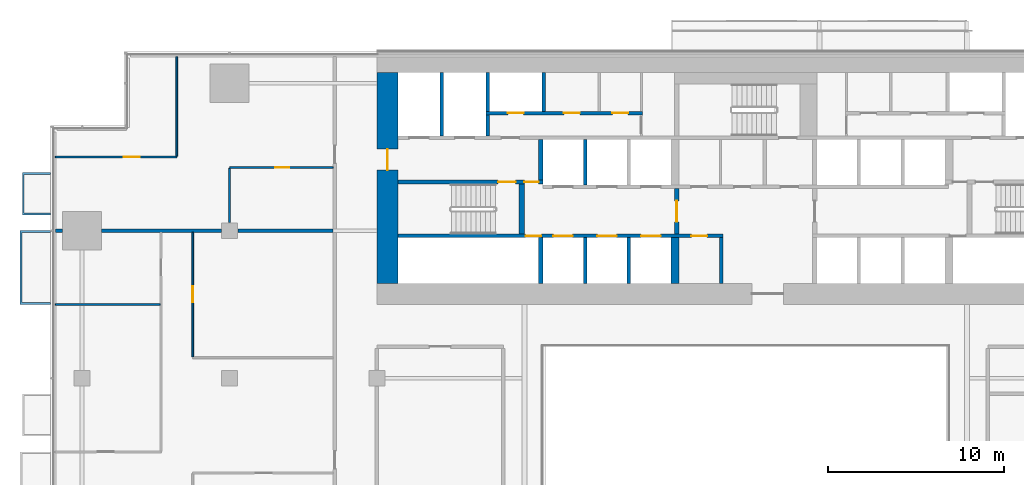
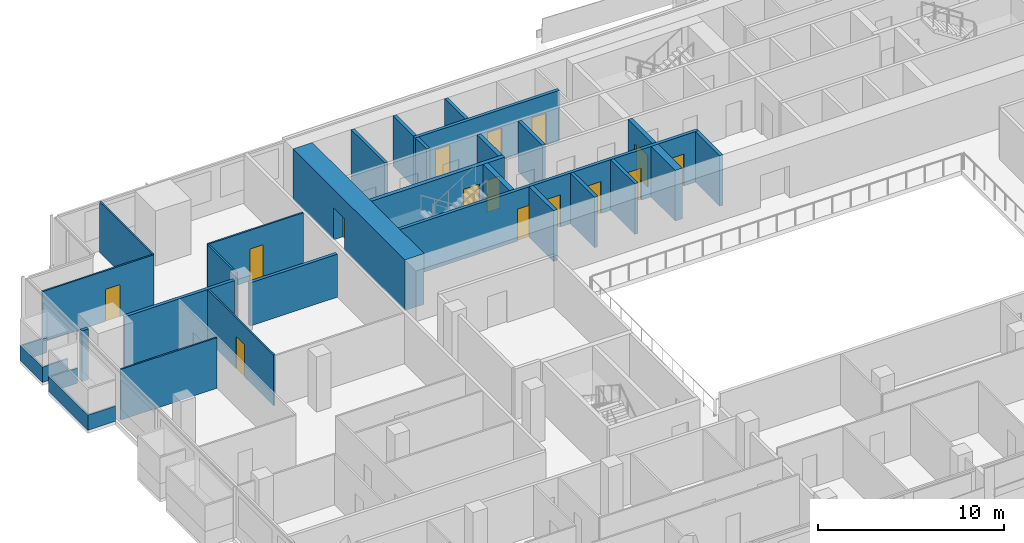
# One storey, part 21 of 27: 28 walls, 15 doors, 15 openings.
"""IFC4 building model written with IfcOpenShell, lengths in metres."""

from ifc_helpers import new_model, si_unit, direction, frame, frame_2d, origin, place, context, subcontext, project, spatial, polyline, rectangle, outline, extrude, material, layer, layer_set, type_object, element, fill, save


model = new_model("IFC4")

# Units and contexts
model_context = context("Model", 3, precision=1e-05, world=origin(), true_north=direction((0.0, 1.0)))
body_context = subcontext(model_context, "Body", "Model", "MODEL_VIEW")
ifc_project = project(units=[si_unit("LENGTHUNIT", "METRE"), si_unit("AREAUNIT", "SQUARE_METRE"), si_unit("VOLUMEUNIT", "CUBIC_METRE"), si_unit("PLANEANGLEUNIT", "RADIAN"), si_unit("MASSUNIT", "GRAM", prefix="KILO")], contexts=[model_context])

# Site, building, storey
site_placement = place(None, origin())
site = spatial("IfcSite", under=ifc_project, at=site_placement, CompositionType="ELEMENT")
building_placement = place(site_placement, origin())
building = spatial("IfcBuilding", under=site, at=building_placement, Name="Saffron Gate Tower", CompositionType="ELEMENT")
storey_placement = place(building_placement, frame((0.0, 0.0, 40.800048828125)))
storey = spatial("IfcBuildingStorey", under=building, at=storey_placement, Name="L08", CompositionType="ELEMENT", Elevation=40.800048828125)

# Wall, opening, door
ifc_material_1 = material(Name="Concrete C70", Category="concrete")
ifc_layer_1 = layer(ifc_material_1, 1.199951171875)
ifc_layer_set_1 = layer_set([ifc_layer_1], Name="CW1 RC core wall 1200 C70")
wall_type_1 = type_object("IfcWallType", Name="CW1 RC core wall 1200 C70", PredefinedType="SOLIDWALL", material=ifc_layer_set_1)
wall_1_placement = place(storey_placement, frame((67.199951171875, 62.39990234375, 0.0), z_axis=(0.0, 0.0, 1.0), x_axis=(0.0, 1.0, 0.0)))
wall_1 = element("IfcWall", 1, at=wall_1_placement, inside=storey, type_object=wall_type_1, Name="Wall CW1-L08-3", PredefinedType="SOLIDWALL", context=body_context, shape_type="SweptSolid", body=[
    extrude(rectangle(XDim=12.0, YDim=1.199951171875, at=frame_2d((6.0, 0.0))), origin(), (0.0, 0.0, 1.0), 3.320068359375),
])
opening_1_placement = place(wall_1_placement, frame((6.449951171875, 0.0, 0.0)))
opening_1 = element("IfcOpeningElement", 2, at=opening_1_placement, cuts=wall_1, Name="Opening CR-10", PredefinedType="OPENING", context=body_context, shape_type="SweptSolid", body=[
    extrude(rectangle(XDim=1.199951171875, YDim=2.10009765625, at=frame_2d((0.60009765625, 1.050048828125))), frame((0.0, 0.60986328125, 0.0), z_axis=(0.0, -1.0, 0.0), x_axis=(1.0, 0.0, 0.0)), (0.0, 0.0, 1.0), 1.219970703125),
])
ifc_material_2 = material(Name="Steel fire door set", Category="steel")
door_type_1 = type_object("IfcDoorType", Name="CD7 Core entrance door 1200x2100 EI 120", OperationType="NOTDEFINED", PredefinedType="DOOR", material=ifc_material_2)
door_1_placement = place(opening_1_placement, origin())
door_1 = element("IfcDoor", 3, at=door_1_placement, inside=storey, type_object=door_type_1, Name="DOOR CR-10", OperationType="SINGLE_SWING_LEFT", OverallHeight=2.10009765625, OverallWidth=1.199951171875, PredefinedType="DOOR", context=body_context, shape_type="SweptSolid", body=[
    extrude(rectangle(XDim=1.199951171875, YDim=2.10009765625, at=frame_2d((0.60009765625, 1.050048828125))), frame((0.0, 0.02490234375, 0.0), z_axis=(0.0, -1.0, 0.0), x_axis=(1.0, 0.0, 0.0)), (0.0, 0.0, 1.0), 0.050048828125),
])
fill(opening_1, door_1)

# Walls
ifc_material_3 = material(Name="Gypsum board partition on steel studs", Category="steel")
ifc_layer_2 = layer(ifc_material_3, 0.199951171875)
ifc_layer_set_2 = layer_set([ifc_layer_2], Name="CW10 Core partition 200")
wall_type_2 = type_object("IfcWallType", Name="CW10 Core partition 200", PredefinedType="PARTITIONING", material=ifc_layer_set_2)
wall_2_placement = place(storey_placement, frame((86.199951171875, 62.39990234375, 0.0), z_axis=(0.0, 0.0, 1.0), x_axis=(0.0, 1.0, 0.0)))
element("IfcWall", 4, at=wall_2_placement, inside=storey, type_object=wall_type_2, Name="Wall CW10-L08-9", PredefinedType="PARTITIONING", context=body_context, shape_type="SweptSolid", body=[
    extrude(rectangle(XDim=2.60009765625, YDim=0.199951171875, at=frame_2d((1.300048828125, 0.0))), origin(), (0.0, 0.0, 1.0), 3.320068359375),
])
ifc_layer_3 = layer(ifc_material_1, 0.25)
ifc_layer_set_3 = layer_set([ifc_layer_3], Name="CW2 RC core wall 250 C70")
wall_type_3 = type_object("IfcWallType", Name="CW2 RC core wall 250 C70", PredefinedType="SOLIDWALL", material=ifc_layer_set_3)
wall_3_placement = place(storey_placement, frame((75.925048828125, 62.39990234375, 0.0), z_axis=(0.0, 0.0, 1.0), x_axis=(0.0, 1.0, 0.0)))
element("IfcWall", 5, at=wall_3_placement, inside=storey, type_object=wall_type_3, Name="Wall CW2-L08-5", PredefinedType="SOLIDWALL", context=body_context, shape_type="SweptSolid", body=[
    extrude(rectangle(XDim=2.60009765625, YDim=0.25, at=frame_2d((1.300048828125, 0.0))), origin(), (0.0, 0.0, 1.0), 3.320068359375),
])

# Wall, opening, door
wall_4_placement = place(storey_placement, frame((83.675048828125, 65.199951171875, 0.0), z_axis=(0.0, 0.0, 1.0), x_axis=(0.0, 1.0, 0.0)))
wall_4 = element("IfcWall", 6, at=wall_4_placement, inside=storey, type_object=wall_type_3, Name="Wall CW2-L08-17", PredefinedType="SOLIDWALL", context=body_context, shape_type="SweptSolid", body=[
    extrude(rectangle(XDim=2.60009765625, YDim=0.25, at=frame_2d((1.300048828125, 0.0))), origin(), (0.0, 0.0, 1.0), 3.320068359375),
])
opening_2_placement = place(wall_4_placement, frame((0.699951171875, 0.0, 0.0)))
opening_2 = element("IfcOpeningElement", 7, at=opening_2_placement, cuts=wall_4, Name="Opening CR-07", PredefinedType="OPENING", context=body_context, shape_type="SweptSolid", body=[
    extrude(rectangle(XDim=1.199951171875, YDim=2.10009765625, at=frame_2d((0.60009765625, 1.050048828125))), frame((0.0, 0.135009765625, 0.0), z_axis=(0.0, -1.0, 0.0), x_axis=(1.0, 0.0, 0.0)), (0.0, 0.0, 1.0), 0.27001953125),
])
door_type_2 = type_object("IfcDoorType", Name="CD3 Lobby door 1200x2100 EI 120", OperationType="NOTDEFINED", PredefinedType="DOOR", material=ifc_material_2)
door_2_placement = place(opening_2_placement, origin())
door_2 = element("IfcDoor", 8, at=door_2_placement, inside=storey, type_object=door_type_2, Name="DOOR CR-07", OperationType="SINGLE_SWING_RIGHT", OverallHeight=2.10009765625, OverallWidth=1.199951171875, PredefinedType="DOOR", context=body_context, shape_type="SweptSolid", body=[
    extrude(rectangle(XDim=1.199951171875, YDim=2.10009765625, at=frame_2d((0.60009765625, 1.050048828125))), frame((0.0, 0.02490234375, 0.0), z_axis=(0.0, -1.0, 0.0), x_axis=(1.0, 0.0, 0.0)), (0.0, 0.0, 1.0), 0.050048828125),
])
fill(opening_2, door_2)

# Wall, openings, doors
wall_5_placement = place(storey_placement, frame((67.800048828125, 68.175048828125, 0.0), z_axis=(0.0, 0.0, 1.0), x_axis=(1.0, 0.0, 0.0)))
wall_5 = element("IfcWall", 9, at=wall_5_placement, inside=storey, type_object=wall_type_3, Name="Wall CW2-L08-30", PredefinedType="SOLIDWALL", context=body_context, shape_type="SweptSolid", body=[
    extrude(rectangle(XDim=8.25, YDim=0.25, at=frame_2d((4.125, 0.0))), origin(), (0.0, 0.0, 1.0), 3.320068359375),
])
opening_3_placement = place(wall_5_placement, frame((5.699951171875, 0.0, 0.0)))
opening_3 = element("IfcOpeningElement", 10, at=opening_3_placement, cuts=wall_5, Name="Opening CR-15", PredefinedType="OPENING", context=body_context, shape_type="SweptSolid", body=[
    extrude(rectangle(XDim=1.0, YDim=2.10009765625, at=frame_2d((0.5, 1.050048828125))), frame((0.0, 0.135009765625, 0.0), z_axis=(0.0, -1.0, 0.0), x_axis=(1.0, 0.0, 0.0)), (0.0, 0.0, 1.0), 0.27001953125),
])
opening_4_placement = place(wall_5_placement, frame((7.199951171875, 0.0, 0.0)))
opening_4 = element("IfcOpeningElement", 11, at=opening_4_placement, cuts=wall_5, Name="Opening CR-06", PredefinedType="OPENING", context=body_context, shape_type="SweptSolid", body=[
    extrude(rectangle(XDim=0.800048828125, YDim=2.10009765625, at=frame_2d((0.39990234375, 1.050048828125))), frame((0.0, 0.135009765625, 0.0), z_axis=(0.0, -1.0, 0.0), x_axis=(1.0, 0.0, 0.0)), (0.0, 0.0, 1.0), 0.27001953125),
])
door_type_3 = type_object("IfcDoorType", Name="CD5 Stair door 1000x2100 EI 120", OperationType="NOTDEFINED", PredefinedType="DOOR", material=ifc_material_2)
door_3_placement = place(opening_3_placement, origin())
door_3 = element("IfcDoor", 12, at=door_3_placement, inside=storey, type_object=door_type_3, Name="DOOR CR-15", OperationType="SINGLE_SWING_RIGHT", OverallHeight=2.10009765625, OverallWidth=1.0, PredefinedType="DOOR", context=body_context, shape_type="SweptSolid", body=[
    extrude(rectangle(XDim=1.0, YDim=2.10009765625, at=frame_2d((0.5, 1.050048828125))), frame((0.0, 0.02490234375, 0.0), z_axis=(0.0, -1.0, 0.0), x_axis=(1.0, 0.0, 0.0)), (0.0, 0.0, 1.0), 0.050048828125),
])
fill(opening_3, door_3)
door_type_4 = type_object("IfcDoorType", Name="CD6 Lobby door 800x2100 EI 120", OperationType="NOTDEFINED", PredefinedType="DOOR", material=ifc_material_2)
door_4_placement = place(opening_4_placement, origin())
door_4 = element("IfcDoor", 13, at=door_4_placement, inside=storey, type_object=door_type_4, Name="DOOR CR-06", OperationType="SINGLE_SWING_LEFT", OverallHeight=2.10009765625, OverallWidth=0.800048828125, PredefinedType="DOOR", context=body_context, shape_type="SweptSolid", body=[
    extrude(rectangle(XDim=0.800048828125, YDim=2.10009765625, at=frame_2d((0.39990234375, 1.050048828125))), frame((0.0, 0.02490234375, 0.0), z_axis=(0.0, -1.0, 0.0), x_axis=(1.0, 0.0, 0.0)), (0.0, 0.0, 1.0), 0.050048828125),
])
fill(opening_4, door_4)

# Walls
wall_6_placement = place(storey_placement, frame((75.925048828125, 68.300048828125, 0.0), z_axis=(0.0, 0.0, 1.0), x_axis=(0.0, 1.0, 0.0)))
element("IfcWall", 14, at=wall_6_placement, inside=storey, type_object=wall_type_3, Name="Wall CW2-L08-32", PredefinedType="SOLIDWALL", context=body_context, shape_type="SweptSolid", body=[
    extrude(rectangle(XDim=2.300048828125, YDim=0.25, at=frame_2d((1.14990234375, 0.0))), origin(), (0.0, 0.0, 1.0), 3.320068359375),
])
ifc_layer_4 = layer(ifc_material_1, 0.199951171875)
ifc_layer_set_4 = layer_set([ifc_layer_4], Name="CW3 RC core wall 200 C70")
wall_type_4 = type_object("IfcWallType", Name="CW3 RC core wall 200 C70", PredefinedType="SOLIDWALL", material=ifc_layer_set_4)
for number, where, z_axis, x_axis, name in (
    (15, (78.449951171875, 62.39990234375, 0.0), (0.0, 0.0, 1.0), (0.0, 1.0, 0.0), "Wall CW3-L08-6"),
    (16, (80.949951171875, 62.39990234375, 0.0), (0.0, 0.0, 1.0), (0.0, 1.0, 0.0), "Wall CW3-L08-7"),
):
    element("IfcWall", number, at=place(storey_placement, frame(where, z_axis=z_axis, x_axis=x_axis)), inside=storey, type_object=wall_type_4, Name=name, PredefinedType="SOLIDWALL", context=body_context, shape_type="SweptSolid", body=[
        extrude(rectangle(XDim=2.60009765625, YDim=0.199951171875, at=frame_2d((1.300048828125, 0.0))), origin(), (0.0, 0.0, 1.0), 3.320068359375),
    ])

# Wall, openings, doors
wall_7_placement = place(storey_placement, frame((67.800048828125, 65.10009765625, 0.0), z_axis=(0.0, 0.0, 1.0), x_axis=(1.0, 0.0, 0.0)))
wall_7 = element("IfcWall", 17, at=wall_7_placement, inside=storey, type_object=wall_type_4, Name="Wall CW3-L08-14", PredefinedType="SOLIDWALL", context=body_context, shape_type="SweptSolid", body=[
    extrude(rectangle(XDim=18.5, YDim=0.199951171875, at=frame_2d((9.25, 0.0))), origin(), (0.0, 0.0, 1.0), 3.320068359375),
])
opening_5_placement = place(wall_7_placement, frame((7.27001953125, 0.0, 0.0)))
opening_5 = element("IfcOpeningElement", 18, at=opening_5_placement, cuts=wall_7, Name="Opening CR-49", PredefinedType="OPENING", context=body_context, shape_type="SweptSolid", body=[
    extrude(rectangle(XDim=0.89990234375, YDim=2.10009765625, at=frame_2d((0.449951171875, 1.050048828125))), frame((0.0, 0.10986328125, 0.0), z_axis=(0.0, -1.0, 0.0), x_axis=(1.0, 0.0, 0.0)), (0.0, 0.0, 1.0), 0.219970703125),
])
opening_6_placement = place(wall_7_placement, frame((8.85009765625, 0.0, 0.0)))
opening_6 = element("IfcOpeningElement", 19, at=opening_6_placement, cuts=wall_7, Name="Opening LD-LR1", PredefinedType="OPENING", context=body_context, shape_type="SweptSolid", body=[
    extrude(rectangle(XDim=1.10009765625, YDim=2.10009765625, at=frame_2d((0.550048828125, 1.050048828125))), frame((0.0, 0.10986328125, 0.0), z_axis=(0.0, -1.0, 0.0), x_axis=(1.0, 0.0, 0.0)), (0.0, 0.0, 1.0), 0.219970703125),
])
opening_7_placement = place(wall_7_placement, frame((11.35009765625, 0.0, 0.0)))
opening_7 = element("IfcOpeningElement", 20, at=opening_7_placement, cuts=wall_7, Name="Opening LD-LR2", PredefinedType="OPENING", context=body_context, shape_type="SweptSolid", body=[
    extrude(rectangle(XDim=1.10009765625, YDim=2.10009765625, at=frame_2d((0.550048828125, 1.050048828125))), frame((0.0, 0.10986328125, 0.0), z_axis=(0.0, -1.0, 0.0), x_axis=(1.0, 0.0, 0.0)), (0.0, 0.0, 1.0), 0.219970703125),
])
opening_8_placement = place(wall_7_placement, frame((13.85009765625, 0.0, 0.0)))
opening_8 = element("IfcOpeningElement", 21, at=opening_8_placement, cuts=wall_7, Name="Opening LD-LR3", PredefinedType="OPENING", context=body_context, shape_type="SweptSolid", body=[
    extrude(rectangle(XDim=1.10009765625, YDim=2.10009765625, at=frame_2d((0.550048828125, 1.050048828125))), frame((0.0, 0.10986328125, 0.0), z_axis=(0.0, -1.0, 0.0), x_axis=(1.0, 0.0, 0.0)), (0.0, 0.0, 1.0), 0.219970703125),
])
opening_9_placement = place(wall_7_placement, frame((16.699951171875, 0.0, 0.0)))
opening_9 = element("IfcOpeningElement", 22, at=opening_9_placement, cuts=wall_7, Name="Opening CR-69", PredefinedType="OPENING", context=body_context, shape_type="SweptSolid", body=[
    extrude(rectangle(XDim=0.89990234375, YDim=2.10009765625, at=frame_2d((0.449951171875, 1.050048828125))), frame((0.0, 0.10986328125, 0.0), z_axis=(0.0, -1.0, 0.0), x_axis=(1.0, 0.0, 0.0)), (0.0, 0.0, 1.0), 0.219970703125),
])
door_type_5 = type_object("IfcDoorType", Name="CD2 Riser door 900x2100 EI 60", OperationType="NOTDEFINED", PredefinedType="DOOR", material=ifc_material_2)
door_5_placement = place(opening_5_placement, origin())
door_5 = element("IfcDoor", 23, at=door_5_placement, inside=storey, type_object=door_type_5, Name="DOOR CR-49", OperationType="SINGLE_SWING_LEFT", OverallHeight=2.10009765625, OverallWidth=0.89990234375, PredefinedType="DOOR", context=body_context, shape_type="SweptSolid", body=[
    extrude(rectangle(XDim=0.89990234375, YDim=2.10009765625, at=frame_2d((0.449951171875, 1.050048828125))), frame((0.0, 0.02490234375, 0.0), z_axis=(0.0, -1.0, 0.0), x_axis=(1.0, 0.0, 0.0)), (0.0, 0.0, 1.0), 0.050048828125),
])
fill(opening_5, door_5)
door_type_6 = type_object("IfcDoorType", Name="CD9 Room door 900x2100 EI 60", OperationType="NOTDEFINED", PredefinedType="DOOR", material=ifc_material_2)
door_6_placement = place(opening_9_placement, origin())
door_6 = element("IfcDoor", 24, at=door_6_placement, inside=storey, type_object=door_type_6, Name="DOOR CR-69", OperationType="SINGLE_SWING_RIGHT", OverallHeight=2.10009765625, OverallWidth=0.89990234375, PredefinedType="DOOR", context=body_context, shape_type="SweptSolid", body=[
    extrude(rectangle(XDim=0.89990234375, YDim=2.10009765625, at=frame_2d((0.449951171875, 1.050048828125))), frame((0.0, 0.02490234375, 0.0), z_axis=(0.0, -1.0, 0.0), x_axis=(1.0, 0.0, 0.0)), (0.0, 0.0, 1.0), 0.050048828125),
])
fill(opening_9, door_6)
ifc_material_4 = material(Name="Stainless steel landing door", Category="steel")
door_type_7 = type_object("IfcDoorType", Name="LD Lift landing door 1100x2100 EI 120", OperationType="SLIDING_TO_LEFT", PredefinedType="DOOR", material=ifc_material_4)
door_7_placement = place(opening_6_placement, origin())
door_7 = element("IfcDoor", 25, at=door_7_placement, inside=storey, type_object=door_type_7, Name="LANDING DOOR LD-LR1", OperationType="SLIDING_TO_LEFT", OverallHeight=2.10009765625, OverallWidth=1.10009765625, PredefinedType="DOOR", context=body_context, shape_type="SweptSolid", body=[
    extrude(rectangle(XDim=1.10009765625, YDim=2.10009765625, at=frame_2d((0.550048828125, 1.050048828125))), frame((0.0, 0.02490234375, 0.0), z_axis=(0.0, -1.0, 0.0), x_axis=(1.0, 0.0, 0.0)), (0.0, 0.0, 1.0), 0.050048828125),
])
fill(opening_6, door_7)
door_8_placement = place(opening_7_placement, origin())
door_8 = element("IfcDoor", 26, at=door_8_placement, inside=storey, type_object=door_type_7, Name="LANDING DOOR LD-LR2", OperationType="SLIDING_TO_LEFT", OverallHeight=2.10009765625, OverallWidth=1.10009765625, PredefinedType="DOOR", context=body_context, shape_type="SweptSolid", body=[
    extrude(rectangle(XDim=1.10009765625, YDim=2.10009765625, at=frame_2d((0.550048828125, 1.050048828125))), frame((0.0, 0.02490234375, 0.0), z_axis=(0.0, -1.0, 0.0), x_axis=(1.0, 0.0, 0.0)), (0.0, 0.0, 1.0), 0.050048828125),
])
fill(opening_7, door_8)
door_9_placement = place(opening_8_placement, origin())
door_9 = element("IfcDoor", 27, at=door_9_placement, inside=storey, type_object=door_type_7, Name="LANDING DOOR LD-LR3", OperationType="SLIDING_TO_LEFT", OverallHeight=2.10009765625, OverallWidth=1.10009765625, PredefinedType="DOOR", context=body_context, shape_type="SweptSolid", body=[
    extrude(rectangle(XDim=1.10009765625, YDim=2.10009765625, at=frame_2d((0.550048828125, 1.050048828125))), frame((0.0, 0.02490234375, 0.0), z_axis=(0.0, -1.0, 0.0), x_axis=(1.0, 0.0, 0.0)), (0.0, 0.0, 1.0), 0.050048828125),
])
fill(opening_8, door_9)

# Walls
wall_8_placement = place(storey_placement, frame((78.449951171875, 68.0, 0.0), z_axis=(0.0, 0.0, 1.0), x_axis=(0.0, 1.0, 0.0)))
element("IfcWall", 28, at=wall_8_placement, inside=storey, type_object=wall_type_4, Name="Wall CW3-L08-21", PredefinedType="SOLIDWALL", context=body_context, shape_type="SweptSolid", body=[
    extrude(rectangle(XDim=2.60009765625, YDim=0.199951171875, at=frame_2d((1.300048828125, 0.0))), origin(), (0.0, 0.0, 1.0), 3.320068359375),
])
wall_9_placement = place(storey_placement, frame((70.300048828125, 70.800048828125, 0.0), z_axis=(0.0, 0.0, 1.0), x_axis=(0.0, 1.0, 0.0)))
element("IfcWall", 29, at=wall_9_placement, inside=storey, type_object=wall_type_4, Name="Wall CW3-L08-35", PredefinedType="SOLIDWALL", context=body_context, shape_type="SweptSolid", body=[
    extrude(rectangle(XDim=3.599853515625, YDim=0.199951171875, at=frame_2d((1.7998046875, 0.0))), origin(), (0.0, 0.0, 1.0), 3.320068359375),
])
wall_10_placement = place(storey_placement, frame((72.89990234375, 70.800048828125, 0.0), z_axis=(0.0, 0.0, 1.0), x_axis=(0.0, 1.0, 0.0)))
element("IfcWall", 30, at=wall_10_placement, inside=storey, type_object=wall_type_4, Name="Wall CW3-L08-36", PredefinedType="SOLIDWALL", context=body_context, shape_type="SweptSolid", body=[
    extrude(rectangle(XDim=1.199951171875, YDim=0.199951171875, at=frame_2d((0.60009765625, 0.0))), origin(), (0.0, 0.0, 1.0), 3.320068359375),
])

# Wall, openings, doors
wall_11_placement = place(storey_placement, frame((72.800048828125, 72.10009765625, 0.0), z_axis=(0.0, 0.0, 1.0), x_axis=(1.0, 0.0, 0.0)))
wall_11 = element("IfcWall", 31, at=wall_11_placement, inside=storey, type_object=wall_type_4, Name="Wall CW3-L08-43", PredefinedType="SOLIDWALL", context=body_context, shape_type="SweptSolid", body=[
    extrude(rectangle(XDim=8.919921875, YDim=0.199951171875, at=frame_2d((4.4599609375, 0.0))), origin(), (0.0, 0.0, 1.0), 3.320068359375),
])
opening_10_placement = place(wall_11_placement, frame((1.25, 0.0, 0.0)))
opening_10 = element("IfcOpeningElement", 32, at=opening_10_placement, cuts=wall_11, Name="Opening CR-71", PredefinedType="OPENING", context=body_context, shape_type="SweptSolid", body=[
    extrude(rectangle(XDim=0.89990234375, YDim=2.10009765625, at=frame_2d((0.449951171875, 1.050048828125))), frame((0.0, 0.10986328125, 0.0), z_axis=(0.0, -1.0, 0.0), x_axis=(1.0, 0.0, 0.0)), (0.0, 0.0, 1.0), 0.219970703125),
])
opening_11_placement = place(wall_11_placement, frame((4.449951171875, 0.0, 0.0)))
opening_11 = element("IfcOpeningElement", 33, at=opening_11_placement, cuts=wall_11, Name="Opening CR-55", PredefinedType="OPENING", context=body_context, shape_type="SweptSolid", body=[
    extrude(rectangle(XDim=0.89990234375, YDim=2.10009765625, at=frame_2d((0.449951171875, 1.050048828125))), frame((0.0, 0.10986328125, 0.0), z_axis=(0.0, -1.0, 0.0), x_axis=(1.0, 0.0, 0.0)), (0.0, 0.0, 1.0), 0.219970703125),
])
opening_12_placement = place(wall_11_placement, frame((7.2099609375, 0.0, 0.0)))
opening_12 = element("IfcOpeningElement", 34, at=opening_12_placement, cuts=wall_11, Name="Opening CR-58", PredefinedType="OPENING", context=body_context, shape_type="SweptSolid", body=[
    extrude(rectangle(XDim=0.89990234375, YDim=2.10009765625, at=frame_2d((0.449951171875, 1.050048828125))), frame((0.0, 0.10986328125, 0.0), z_axis=(0.0, -1.0, 0.0), x_axis=(1.0, 0.0, 0.0)), (0.0, 0.0, 1.0), 0.219970703125),
])
door_10_placement = place(opening_10_placement, origin())
door_10 = element("IfcDoor", 35, at=door_10_placement, inside=storey, type_object=door_type_5, Name="DOOR CR-71", OperationType="SINGLE_SWING_LEFT", OverallHeight=2.10009765625, OverallWidth=0.89990234375, PredefinedType="DOOR", context=body_context, shape_type="SweptSolid", body=[
    extrude(rectangle(XDim=0.89990234375, YDim=2.10009765625, at=frame_2d((0.449951171875, 1.050048828125))), frame((0.0, 0.02490234375, 0.0), z_axis=(0.0, -1.0, 0.0), x_axis=(1.0, 0.0, 0.0)), (0.0, 0.0, 1.0), 0.050048828125),
])
fill(opening_10, door_10)
door_11_placement = place(opening_11_placement, origin())
door_11 = element("IfcDoor", 36, at=door_11_placement, inside=storey, type_object=door_type_6, Name="DOOR CR-55", OperationType="SINGLE_SWING_LEFT", OverallHeight=2.10009765625, OverallWidth=0.89990234375, PredefinedType="DOOR", context=body_context, shape_type="SweptSolid", body=[
    extrude(rectangle(XDim=0.89990234375, YDim=2.10009765625, at=frame_2d((0.449951171875, 1.050048828125))), frame((0.0, 0.02490234375, 0.0), z_axis=(0.0, -1.0, 0.0), x_axis=(1.0, 0.0, 0.0)), (0.0, 0.0, 1.0), 0.050048828125),
])
fill(opening_11, door_11)
door_12_placement = place(opening_12_placement, origin())
door_12 = element("IfcDoor", 37, at=door_12_placement, inside=storey, type_object=door_type_6, Name="DOOR CR-58", OperationType="SINGLE_SWING_LEFT", OverallHeight=2.10009765625, OverallWidth=0.89990234375, PredefinedType="DOOR", context=body_context, shape_type="SweptSolid", body=[
    extrude(rectangle(XDim=0.89990234375, YDim=2.10009765625, at=frame_2d((0.449951171875, 1.050048828125))), frame((0.0, 0.02490234375, 0.0), z_axis=(0.0, -1.0, 0.0), x_axis=(1.0, 0.0, 0.0)), (0.0, 0.0, 1.0), 0.050048828125),
])
fill(opening_12, door_12)

# Walls
for number, where, z_axis, x_axis, name in (
    (38, (72.89990234375, 72.199951171875, 0.0), (0.0, 0.0, 1.0), (0.0, 1.0, 0.0), "Wall CW3-L08-45"),
    (39, (76.10009765625, 72.199951171875, 0.0), (0.0, 0.0, 1.0), (0.0, 1.0, 0.0), "Wall CW3-L08-46"),
):
    element("IfcWall", number, at=place(storey_placement, frame(where, z_axis=z_axis, x_axis=x_axis)), inside=storey, type_object=wall_type_4, Name=name, PredefinedType="SOLIDWALL", context=body_context, shape_type="SweptSolid", body=[
        extrude(rectangle(XDim=2.199951171875, YDim=0.199951171875, at=frame_2d((1.10009765625, 0.0))), origin(), (0.0, 0.0, 1.0), 3.320068359375),
    ])
ifc_layer_5 = layer(ifc_material_1, 0.449951171875)
ifc_layer_set_5 = layer_set([ifc_layer_5], Name="CW4 RC core wall 450 C70")
wall_type_5 = type_object("IfcWallType", Name="CW4 RC core wall 450 C70", PredefinedType="SOLIDWALL", material=ifc_layer_set_5)
wall_12_placement = place(storey_placement, frame((83.574951171875, 62.39990234375, 0.0), z_axis=(0.0, 0.0, 1.0), x_axis=(0.0, 1.0, 0.0)))
element("IfcWall", 40, at=wall_12_placement, inside=storey, type_object=wall_type_5, Name="Wall CW4-L08-8", PredefinedType="SOLIDWALL", context=body_context, shape_type="SweptSolid", body=[
    extrude(rectangle(XDim=2.60009765625, YDim=0.449951171875, at=frame_2d((1.300048828125, 0.0))), origin(), (0.0, 0.0, 1.0), 3.320068359375),
])
ifc_layer_6 = layer(ifc_material_1, 0.300048828125)
ifc_layer_set_6 = layer_set([ifc_layer_6], Name="CW5 RC core wall 300 C70")
wall_type_6 = type_object("IfcWallType", Name="CW5 RC core wall 300 C70", PredefinedType="SOLIDWALL", material=ifc_layer_set_6)
wall_13_placement = place(storey_placement, frame((74.85009765625, 65.199951171875, 0.0), z_axis=(0.0, 0.0, 1.0), x_axis=(0.0, 1.0, 0.0)))
element("IfcWall", 41, at=wall_13_placement, inside=storey, type_object=wall_type_6, Name="Wall CW5-L08-16", PredefinedType="SOLIDWALL", context=body_context, shape_type="SweptSolid", body=[
    extrude(rectangle(XDim=2.85009765625, YDim=0.300048828125, at=frame_2d((1.425048828125, 0.0))), origin(), (0.0, 0.0, 1.0), 3.320068359375),
])
ifc_material_5 = material(Name="Plasterboard on steel studs", Category="steel")
ifc_layer_7 = layer(ifc_material_5, 0.10009765625)
ifc_layer_set_7 = layer_set([ifc_layer_7], Name="PW1 Partition 100")
wall_type_7 = type_object("IfcWallType", Name="PW1 Partition 100", PredefinedType="PARTITIONING", material=ifc_layer_set_7)
wall_14_placement = place(storey_placement, frame((48.280029296875, 61.199951171875, 0.0), z_axis=(0.0, 0.0, 1.0), x_axis=(1.0, 0.0, 0.0)))
element("IfcWall", 42, at=wall_14_placement, inside=storey, type_object=wall_type_7, Name="Partition A1-40", PredefinedType="PARTITIONING", context=body_context, shape_type="SweptSolid", body=[
    extrude(rectangle(XDim=5.969970703125, YDim=0.10009765625, at=frame_2d((2.98486328125, 0.0))), origin(), (0.0, 0.0, 1.0), 3.320068359375),
])

# Wall, opening, door
wall_15_placement = place(storey_placement, frame((64.10009765625, 69.0, 0.0), z_axis=(0.0, 0.0, 1.0), x_axis=(-1.0, 0.0, 0.0)))
wall_15 = element("IfcWall", 43, at=wall_15_placement, inside=storey, type_object=wall_type_7, Name="Partition A1-49", PredefinedType="PARTITIONING", context=body_context, shape_type="SweptSolid", body=[
    extrude(rectangle(XDim=5.900146484375, YDim=0.10009765625, at=frame_2d((2.9501953125, 0.0))), origin(), (0.0, 0.0, 1.0), 3.320068359375),
])
opening_13_placement = place(wall_15_placement, frame((2.5, 0.0, 0.0)))
opening_13 = element("IfcOpeningElement", 44, at=opening_13_placement, cuts=wall_15, Name="Opening A1-44", PredefinedType="OPENING", context=body_context, shape_type="SweptSolid", body=[
    extrude(rectangle(XDim=0.800048828125, YDim=2.10009765625, at=frame_2d((0.39990234375, 1.050048828125))), frame((0.0, 0.06005859375, 0.0), z_axis=(0.0, -1.0, 0.0), x_axis=(1.0, 0.0, 0.0)), (0.0, 0.0, 1.0), 0.1201171875),
])
ifc_material_6 = material(Name="Timber door set", Category="wood")
door_type_8 = type_object("IfcDoorType", Name="RD2 Bathroom door 800x2100", OperationType="NOTDEFINED", PredefinedType="DOOR", material=ifc_material_6)
door_13_placement = place(opening_13_placement, origin())
door_13 = element("IfcDoor", 45, at=door_13_placement, inside=storey, type_object=door_type_8, Name="Door A1-44", OperationType="SINGLE_SWING_LEFT", OverallHeight=2.10009765625, OverallWidth=0.800048828125, PredefinedType="DOOR", context=body_context, shape_type="SweptSolid", body=[
    extrude(rectangle(XDim=0.800048828125, YDim=2.10009765625, at=frame_2d((0.39990234375, 1.050048828125))), frame((0.0, 0.02490234375, 0.0), z_axis=(0.0, -1.0, 0.0), x_axis=(1.0, 0.0, 0.0)), (0.0, 0.0, 1.0), 0.050048828125),
])
fill(opening_13, door_13)

wall_16_placement = place(storey_placement, frame((48.280029296875, 69.60009765625, 0.0), z_axis=(0.0, 0.0, 1.0), x_axis=(1.0, 0.0, 0.0)))
wall_16 = element("IfcWall", 46, at=wall_16_placement, inside=storey, type_object=wall_type_7, Name="Partition A1-50", PredefinedType="PARTITIONING", context=body_context, shape_type="SweptSolid", body=[
    extrude(rectangle(XDim=6.919921875, YDim=0.10009765625, at=frame_2d((3.4599609375, 0.0))), origin(), (0.0, 0.0, 1.0), 3.320068359375),
])
opening_14_placement = place(wall_16_placement, frame((3.9052734375, 0.0, 0.0)))
opening_14 = element("IfcOpeningElement", 47, at=opening_14_placement, cuts=wall_16, Name="Opening A1-28", PredefinedType="OPENING", context=body_context, shape_type="SweptSolid", body=[
    extrude(rectangle(XDim=0.89990234375, YDim=2.10009765625, at=frame_2d((0.449951171875, 1.050048828125))), frame((0.0, 0.06005859375, 0.0), z_axis=(0.0, -1.0, 0.0), x_axis=(1.0, 0.0, 0.0)), (0.0, 0.0, 1.0), 0.1201171875),
])
door_type_9 = type_object("IfcDoorType", Name="RD1 Room door 900x2100", OperationType="NOTDEFINED", PredefinedType="DOOR", material=ifc_material_6)
door_14_placement = place(opening_14_placement, origin())
door_14 = element("IfcDoor", 48, at=door_14_placement, inside=storey, type_object=door_type_9, Name="Door A1-28", OperationType="SINGLE_SWING_RIGHT", OverallHeight=2.10009765625, OverallWidth=0.89990234375, PredefinedType="DOOR", context=body_context, shape_type="SweptSolid", body=[
    extrude(rectangle(XDim=0.89990234375, YDim=2.10009765625, at=frame_2d((0.449951171875, 1.050048828125))), frame((0.0, 0.02490234375, 0.0), z_axis=(0.0, -1.0, 0.0), x_axis=(1.0, 0.0, 0.0)), (0.0, 0.0, 1.0), 0.050048828125),
])
fill(opening_14, door_14)

# Wall
wall_17_placement = place(storey_placement, frame((55.199951171875, 75.320068359375, 0.0), z_axis=(0.0, 0.0, 1.0), x_axis=(0.0, -1.0, 0.0)))
element("IfcWall", 49, at=wall_17_placement, inside=storey, type_object=wall_type_7, Name="Partition A1-55", PredefinedType="PARTITIONING", context=body_context, shape_type="SweptSolid", body=[
    extrude(rectangle(XDim=5.670166015625, YDim=0.10009765625, at=frame_2d((2.8349609375, 0.0))), origin(), (0.0, 0.0, 1.0), 3.320068359375),
])

# Wall, opening, door
wall_18_placement = place(storey_placement, frame((56.10009765625, 65.300048828125, 0.0), z_axis=(0.0, 0.0, 1.0), x_axis=(0.0, -1.0, 0.0)))
wall_18 = element("IfcWall", 50, at=wall_18_placement, inside=storey, type_object=wall_type_7, Name="Partition A1-58", PredefinedType="PARTITIONING", context=body_context, shape_type="SweptSolid", body=[
    extrude(rectangle(XDim=7.08837890625, YDim=0.10009765625, at=frame_2d((3.544189453125, 0.0))), origin(), (0.0, 0.0, 1.0), 3.320068359375),
])
opening_15_placement = place(wall_18_placement, frame((3.069091796875, 0.0, 0.0)))
opening_15 = element("IfcOpeningElement", 51, at=opening_15_placement, cuts=wall_18, Name="Opening A1-26", PredefinedType="OPENING", context=body_context, shape_type="SweptSolid", body=[
    extrude(rectangle(XDim=0.89990234375, YDim=2.10009765625, at=frame_2d((0.449951171875, 1.050048828125))), frame((0.0, 0.06005859375, 0.0), z_axis=(0.0, -1.0, 0.0), x_axis=(1.0, 0.0, 0.0)), (0.0, 0.0, 1.0), 0.1201171875),
])
door_15_placement = place(opening_15_placement, origin())
door_15 = element("IfcDoor", 52, at=door_15_placement, inside=storey, type_object=door_type_9, Name="Door A1-26", OperationType="SINGLE_SWING_LEFT", OverallHeight=2.10009765625, OverallWidth=0.89990234375, PredefinedType="DOOR", context=body_context, shape_type="SweptSolid", body=[
    extrude(rectangle(XDim=0.89990234375, YDim=2.10009765625, at=frame_2d((0.449951171875, 1.050048828125))), frame((0.0, 0.02490234375, 0.0), z_axis=(0.0, -1.0, 0.0), x_axis=(1.0, 0.0, 0.0)), (0.0, 0.0, 1.0), 0.050048828125),
])
fill(opening_15, door_15)

# Walls
wall_19_placement = place(storey_placement, frame((58.199951171875, 68.949951171875, 0.0), z_axis=(0.0, 0.0, 1.0), x_axis=(0.0, -1.0, 0.0)))
element("IfcWall", 53, at=wall_19_placement, inside=storey, type_object=wall_type_7, Name="Partition A1-61", PredefinedType="PARTITIONING", context=body_context, shape_type="SweptSolid", body=[
    extrude(rectangle(XDim=3.079833984375, YDim=0.10009765625, at=frame_2d((1.5400390625, 0.0))), origin(), (0.0, 0.0, 1.0), 3.320068359375),
])
ifc_material_7 = material(Name="Clay brick masonry, rendered", Category="masonry")
ifc_layer_8 = layer(ifc_material_7, 0.199951171875)
ifc_layer_set_8 = layer_set([ifc_layer_8], Name="PW2 Demising wall 200")
wall_type_8 = type_object("IfcWallType", Name="PW2 Demising wall 200", PredefinedType="PARTITIONING", material=ifc_layer_set_8)
wall_20_placement = place(storey_placement, frame((48.280029296875, 65.39990234375, 0.0), z_axis=(0.0, 0.0, 1.0), x_axis=(1.0, 0.0, 0.0)))
element("IfcWall", 54, at=wall_20_placement, inside=storey, type_object=wall_type_8, Name="Wall A1-42", PredefinedType="PARTITIONING", context=body_context, shape_type="SweptSolid", body=[
    extrude(rectangle(XDim=0.39990234375, YDim=0.199951171875, at=frame_2d((0.199951171875, 0.0))), origin(), (0.0, 0.0, 1.0), 3.320068359375),
])
wall_21_placement = place(storey_placement, frame((50.919921875, 65.39990234375, 0.0), z_axis=(0.0, 0.0, 1.0), x_axis=(1.0, 0.0, 0.0)))
element("IfcWall", 55, at=wall_21_placement, inside=storey, type_object=wall_type_8, Name="Wall A1-43", PredefinedType="PARTITIONING", context=body_context, shape_type="SweptSolid", body=[
    extrude(rectangle(XDim=6.81005859375, YDim=0.199951171875, at=frame_2d((3.405029296875, 0.0))), origin(), (0.0, 0.0, 1.0), 3.320068359375),
])
wall_22_placement = place(storey_placement, frame((58.669921875, 65.39990234375, 0.0), z_axis=(0.0, 0.0, 1.0), x_axis=(1.0, 0.0, 0.0)))
element("IfcWall", 56, at=wall_22_placement, inside=storey, type_object=wall_type_8, Name="Wall A1-44", PredefinedType="PARTITIONING", context=body_context, shape_type="SweptSolid", body=[
    extrude(rectangle(XDim=5.43017578125, YDim=0.199951171875, at=frame_2d((2.715087890625, 0.0))), origin(), (0.0, 0.0, 1.0), 2.820068359375),
])
ifc_material_8 = material(Name="Rendered insulated panel, white")
ifc_layer_9 = layer(ifc_material_8, 0.10009765625)
ifc_layer_set_9 = layer_set([ifc_layer_9], Name="WB3 box parapet white")
wall_type_9 = type_object("IfcWallType", Name="WB3 box parapet white", PredefinedType="SOLIDWALL", material=ifc_layer_set_9)
wall_23_placement = place(storey_placement, origin())
element("IfcWall", 57, at=wall_23_placement, inside=storey, type_object=wall_type_9, Name="WINDOW BOX parapet", PredefinedType="SOLIDWALL", context=body_context, shape_type="SweptSolid", body=[
    extrude(outline(polyline([(48.0, 68.699951171875), (48.0, 68.60009765625), (46.5, 68.60009765625), (46.5, 66.39990234375), (48.0, 66.39990234375), (48.0, 66.300048828125), (46.39990234375, 66.300048828125), (46.39990234375, 68.699951171875), (48.0, 68.699951171875)])), origin(), (0.0, 0.0, 1.0), 1.0),
])
wall_24_placement = place(storey_placement, origin())
element("IfcWall", 58, at=wall_24_placement, inside=storey, type_object=wall_type_9, Name="WINDOW BOX parapet", PredefinedType="SOLIDWALL", context=body_context, shape_type="SweptSolid", body=[
    extrude(outline(polyline([(48.0, 65.39990234375), (48.0, 65.300048828125), (46.366943359375, 65.300048828125), (46.366943359375, 61.300048828125), (48.0, 61.300048828125), (48.0, 61.199951171875), (46.26708984375, 61.199951171875), (46.26708984375, 65.39990234375), (48.0, 65.39990234375)])), origin(), (0.0, 0.0, 1.0), 1.0),
])

save(model, "model.ifc")
